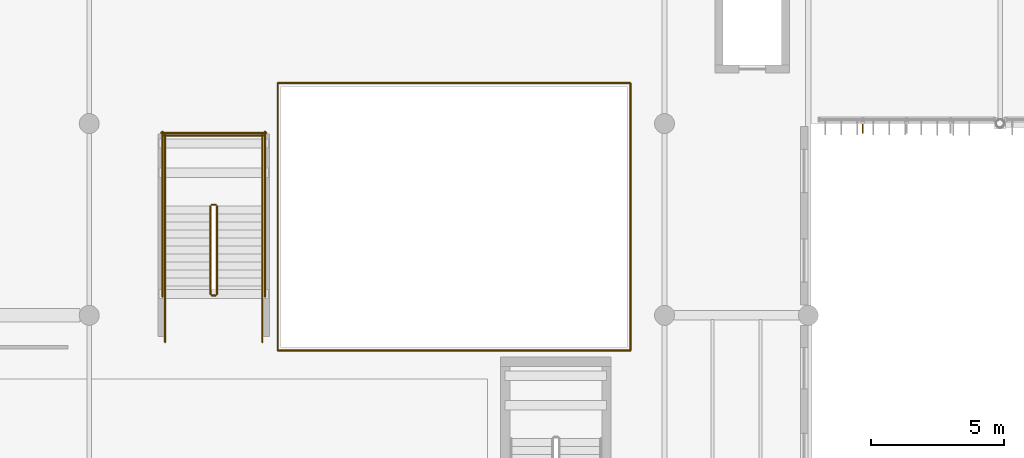
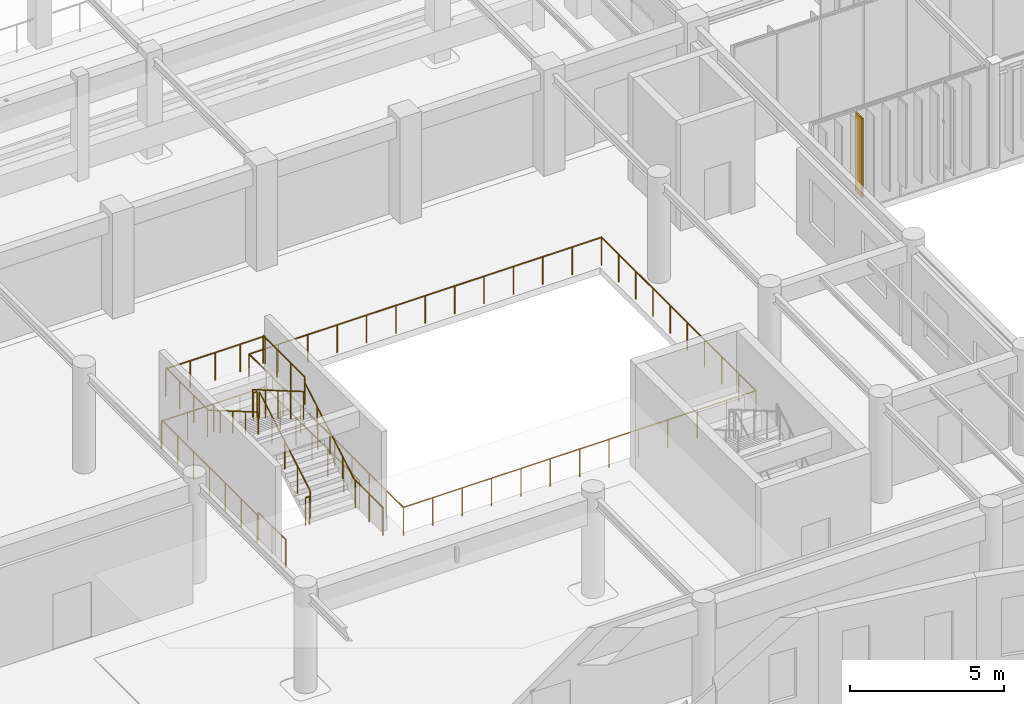
# One storey, part 111 of 122: 18 railings, 1 shading device.
"""IFC4 building model written with IfcOpenShell, lengths in metres."""

from ifc_helpers import new_model, si_unit, direction, frame, origin, origin_2d, place, context, subcontext, project, spatial, rectangle, circle, extrude, material, layer, layer_set, material_profile, profile_set, type_object, element, save


model = new_model("IFC4")

# Units and contexts
model_context = context("Model", 3, precision=1e-05, world=origin(), true_north=direction((0.0, 1.0)))
body_context = subcontext(model_context, "Body", "Model", "MODEL_VIEW")
ifc_project = project(units=[si_unit("LENGTHUNIT", "METRE"), si_unit("AREAUNIT", "SQUARE_METRE"), si_unit("VOLUMEUNIT", "CUBIC_METRE"), si_unit("PLANEANGLEUNIT", "RADIAN"), si_unit("MASSUNIT", "GRAM", prefix="KILO")], contexts=[model_context])

# Site, building, storey
site_placement = place(None, origin())
site = spatial("IfcSite", under=ifc_project, at=site_placement, CompositionType="ELEMENT")
building_placement = place(site_placement, origin())
building = spatial("IfcBuilding", under=site, at=building_placement, Name="Tazoul Stagehouse", CompositionType="ELEMENT")
storey_placement = place(building_placement, frame((0.0, 0.0, 4.800048828125)))
storey = spatial("IfcBuildingStorey", under=building, at=storey_placement, Name="L01", CompositionType="ELEMENT", Elevation=4.800048828125)

# Shading device
ifc_material_1 = material(Name="Anodised Bronze Aluminium 6063-T6", Category="aluminium")
ifc_layer = layer(ifc_material_1, 0.050048828125, Name="Anodised Bronze Aluminium 6063-T6")
ifc_layer_set = layer_set([ifc_layer], Name="Anodised Bronze Aluminium 6063-T6")
shading_device_type = type_object("IfcShadingDeviceType", Name="Angled Acoustic Sun-Screen Blade 460", PredefinedType="USERDEFINED", material=ifc_layer_set)
shading_device_placement = place(storey_placement, frame((97.447021484375, 44.469970703125, 0.75), z_axis=(0.0, 0.0, 1.0), x_axis=(1.0, 0.0, 0.0)))
element("IfcShadingDevice", 1, at=shading_device_placement, inside=storey, type_object=shading_device_type, Name="Shading Louvre FIN-02 CW-ELNK-S-L01-B1-SHD01", ObjectType="FIN", PredefinedType="USERDEFINED", context=body_context, shape_type="SweptSolid", body=[
    extrude(rectangle(XDim=0.044921875, YDim=0.4599609375, at=origin_2d()), origin(), (0.0, 0.0, 1.0), 3.14990234375),
])

# Railings
ifc_material_2 = material(Name="Brushed Stainless Steel 316L", Category="steel")
ifc_material_profile_1 = material_profile(ifc_material_2, circle(Radius=0.02392578125, at=origin_2d()), Name="SS RAIL D48")
ifc_profile_set_1 = profile_set([ifc_material_profile_1], Name="Brushed Stainless Steel 316L")
railing_type_1 = type_object("IfcRailingType", Name="Architectural Guardrail H1120", PredefinedType="GUARDRAIL", material=ifc_profile_set_1)
railing_1_placement = place(storey_placement, frame((73.199951171875, 38.199951171875, 0.175048828125)))
element("IfcRailing", 2, at=railing_1_placement, inside=storey, type_object=railing_type_1, Name="L01 ST-ATR-01 stair guard 1", PredefinedType="GUARDRAIL", context=body_context, shape_type="SweptSolid", body=[
    extrude(circle(Radius=0.02392578125, at=origin_2d()), frame((0.0, 0.0, 1.09619140625), z_axis=(0.0, 0.863804395585, 0.503827317807), x_axis=(-1.0, 0.0, 0.0)), (0.0, 0.0, 1.0), 3.8203125),
    extrude(circle(Radius=0.02099609375, at=origin_2d()), origin(), (0.0, 0.0, 1.0), 1.072021484375),
    extrude(circle(Radius=0.02099609375, at=origin_2d()), frame((0.0, 0.824951171875, 0.481201171875)), (0.0, 0.0, 1.0), 1.072021484375),
    extrude(circle(Radius=0.02099609375, at=origin_2d()), frame((0.0, 1.64990234375, 0.96240234375)), (0.0, 0.0, 1.0), 1.072021484375),
    extrude(circle(Radius=0.02099609375, at=origin_2d()), frame((0.0, 2.47509765625, 1.443603515625)), (0.0, 0.0, 1.0), 1.072021484375),
    extrude(circle(Radius=0.02099609375, at=origin_2d()), frame((0.0, 3.300048828125, 1.9248046875)), (0.0, 0.0, 1.0), 1.072021484375),
])
railing_2_placement = place(storey_placement, frame((73.14990234375, 41.550048828125, 2.099853515625)))
element("IfcRailing", 3, at=railing_2_placement, inside=storey, type_object=railing_type_1, Name="L01 ST-ATR-01 stair guard 2", PredefinedType="GUARDRAIL", context=body_context, shape_type="SweptSolid", body=[
    extrude(circle(Radius=0.02392578125, at=origin_2d()), frame((0.0, 0.0, 1.09619140625), z_axis=(-1.0, 0.0, 0.0), x_axis=(0.0, -1.0, 0.0)), (0.0, 0.0, 1.0), 0.14990234375),
    extrude(circle(Radius=0.02099609375, at=origin_2d()), origin(), (0.0, 0.0, 1.0), 1.072021484375),
    extrude(circle(Radius=0.02099609375, at=origin_2d()), frame((-0.14990234375, 0.0, 0.0)), (0.0, 0.0, 1.0), 1.072021484375),
])
for number, where, name in (
    (4, (74.89990234375, 41.5, 2.099853515625), "L01 ST-ATR-01 stair guard 3"),
    (5, (71.25, 41.5, 2.099853515625), "L01 ST-ATR-01 stair guard 4"),
):
    element("IfcRailing", number, at=place(storey_placement, frame(where)), inside=storey, type_object=railing_type_1, Name=name, PredefinedType="GUARDRAIL", context=body_context, shape_type="SweptSolid", body=[
        extrude(circle(Radius=0.02392578125, at=origin_2d()), frame((0.0, 0.0, 1.09619140625), z_axis=(0.0, 1.0, 0.0), x_axis=(-1.0, 0.0, 0.0)), (0.0, 0.0, 1.0), 2.699951171875),
        extrude(circle(Radius=0.02099609375, at=origin_2d()), origin(), (0.0, 0.0, 1.0), 1.072021484375),
        extrude(circle(Radius=0.02099609375, at=origin_2d()), frame((0.0, 0.89990234375, 0.0)), (0.0, 0.0, 1.0), 1.072021484375),
        extrude(circle(Radius=0.02099609375, at=origin_2d()), frame((0.0, 1.800048828125, 0.0)), (0.0, 0.0, 1.0), 1.072021484375),
        extrude(circle(Radius=0.02099609375, at=origin_2d()), frame((0.0, 2.699951171875, 0.0)), (0.0, 0.0, 1.0), 1.072021484375),
    ])
railing_3_placement = place(storey_placement, frame((74.949951171875, 44.14990234375, 2.099853515625)))
element("IfcRailing", 6, at=railing_3_placement, inside=storey, type_object=railing_type_1, Name="L01 ST-ATR-01 stair guard 5", PredefinedType="GUARDRAIL", context=body_context, shape_type="SweptSolid", body=[
    extrude(circle(Radius=0.02392578125, at=origin_2d()), frame((0.0, 0.0, 1.09619140625), z_axis=(-1.0, 0.0, 0.0), x_axis=(0.0, -1.0, 0.0)), (0.0, 0.0, 1.0), 3.75),
    extrude(circle(Radius=0.02099609375, at=origin_2d()), origin(), (0.0, 0.0, 1.0), 1.072021484375),
    extrude(circle(Radius=0.02099609375, at=origin_2d()), frame((-0.9375, 0.0, 0.0)), (0.0, 0.0, 1.0), 1.072021484375),
    extrude(circle(Radius=0.02099609375, at=origin_2d()), frame((-1.875, 0.0, 0.0)), (0.0, 0.0, 1.0), 1.072021484375),
    extrude(circle(Radius=0.02099609375, at=origin_2d()), frame((-2.8125, 0.0, 0.0)), (0.0, 0.0, 1.0), 1.072021484375),
    extrude(circle(Radius=0.02099609375, at=origin_2d()), frame((-3.75, 0.0, 0.0)), (0.0, 0.0, 1.0), 1.072021484375),
])
railing_4_placement = place(storey_placement, frame((72.949951171875, 41.5, 2.27490234375)))
element("IfcRailing", 7, at=railing_4_placement, inside=storey, type_object=railing_type_1, Name="L01 ST-ATR-01 stair guard 6", PredefinedType="GUARDRAIL", context=body_context, shape_type="SweptSolid", body=[
    extrude(circle(Radius=0.02392578125, at=origin_2d()), frame((0.0, 0.0, 1.09619140625), z_axis=(0.0, -0.863776583165, 0.503874998761), x_axis=(1.0, 0.0, 0.0)), (0.0, 0.0, 1.0), 3.820556640625),
    extrude(circle(Radius=0.02099609375, at=origin_2d()), origin(), (0.0, 0.0, 1.0), 1.072021484375),
    extrude(circle(Radius=0.02099609375, at=origin_2d()), frame((0.0, -0.824951171875, 0.481201171875)), (0.0, 0.0, 1.0), 1.072021484375),
    extrude(circle(Radius=0.02099609375, at=origin_2d()), frame((0.0, -1.64990234375, 0.96240234375)), (0.0, 0.0, 1.0), 1.072021484375),
    extrude(circle(Radius=0.02099609375, at=origin_2d()), frame((0.0, -2.47509765625, 1.44384765625)), (0.0, 0.0, 1.0), 1.072021484375),
    extrude(circle(Radius=0.02099609375, at=origin_2d()), frame((0.0, -3.300048828125, 1.925048828125)), (0.0, 0.0, 1.0), 1.072021484375),
])
railing_5_placement = place(storey_placement, frame((73.14990234375, 38.14990234375, 0.0)))
element("IfcRailing", 8, at=railing_5_placement, inside=storey, type_object=railing_type_1, Name="L01 ST-ATR-01 stair guard 7", PredefinedType="GUARDRAIL", context=body_context, shape_type="SweptSolid", body=[
    extrude(circle(Radius=0.02392578125, at=origin_2d()), frame((0.0, 0.0, 1.09619140625), z_axis=(-1.0, 0.0, 0.0), x_axis=(0.0, -1.0, 0.0)), (0.0, 0.0, 1.0), 0.14990234375),
    extrude(circle(Radius=0.02099609375, at=origin_2d()), origin(), (0.0, 0.0, 1.0), 1.072021484375),
    extrude(circle(Radius=0.02099609375, at=origin_2d()), frame((-0.14990234375, 0.0, 0.0)), (0.0, 0.0, 1.0), 1.072021484375),
])
for number, where, name in (
    (9, (74.89990234375, 36.39990234375, 0.0), "L01 ST-ATR-01 stair guard 8"),
    (10, (71.25, 36.39990234375, 0.0), "L01 ST-ATR-01 stair guard 9"),
):
    element("IfcRailing", number, at=place(storey_placement, frame(where)), inside=storey, type_object=railing_type_1, Name=name, PredefinedType="GUARDRAIL", context=body_context, shape_type="SweptSolid", body=[
        extrude(circle(Radius=0.02392578125, at=origin_2d()), frame((0.0, 0.0, 1.09619140625), z_axis=(0.0, 1.0, 0.0), x_axis=(-1.0, 0.0, 0.0)), (0.0, 0.0, 1.0), 1.800048828125),
        extrude(circle(Radius=0.02099609375, at=origin_2d()), origin(), (0.0, 0.0, 1.0), 1.072021484375),
        extrude(circle(Radius=0.02099609375, at=origin_2d()), frame((0.0, 0.89990234375, 0.0)), (0.0, 0.0, 1.0), 1.072021484375),
        extrude(circle(Radius=0.02099609375, at=origin_2d()), frame((0.0, 1.800048828125, 0.0)), (0.0, 0.0, 1.0), 1.072021484375),
    ])
for number, where, name in (
    (11, (75.0, 38.10009765625, 0.0), "L01 ST-ATR-01 stair guard 10"),
    (12, (71.14990234375, 38.10009765625, 0.0), "L01 ST-ATR-01 stair guard 11"),
):
    element("IfcRailing", number, at=place(storey_placement, frame(where)), inside=storey, type_object=railing_type_1, Name=name, PredefinedType="GUARDRAIL", context=body_context, shape_type="SweptSolid", body=[
        extrude(circle(Radius=0.02392578125, at=origin_2d()), frame((0.0, 0.0, 1.09619140625), z_axis=(0.0, 1.0, 0.0), x_axis=(-1.0, 0.0, 0.0)), (0.0, 0.0, 1.0), 6.199951171875),
        extrude(circle(Radius=0.02099609375, at=origin_2d()), origin(), (0.0, 0.0, 1.0), 1.072021484375),
        extrude(circle(Radius=0.02099609375, at=origin_2d()), frame((0.0, 1.033203125, 0.0)), (0.0, 0.0, 1.0), 1.072021484375),
        extrude(circle(Radius=0.02099609375, at=origin_2d()), frame((0.0, 2.066650390625, 0.0)), (0.0, 0.0, 1.0), 1.072021484375),
        extrude(circle(Radius=0.02099609375, at=origin_2d()), frame((0.0, 3.10009765625, 0.0)), (0.0, 0.0, 1.0), 1.072021484375),
        extrude(circle(Radius=0.02099609375, at=origin_2d()), frame((0.0, 4.13330078125, 0.0)), (0.0, 0.0, 1.0), 1.072021484375),
        extrude(circle(Radius=0.02099609375, at=origin_2d()), frame((0.0, 5.16650390625, 0.0)), (0.0, 0.0, 1.0), 1.072021484375),
        extrude(circle(Radius=0.02099609375, at=origin_2d()), frame((0.0, 6.199951171875, 0.0)), (0.0, 0.0, 1.0), 1.072021484375),
    ])
railing_6_placement = place(storey_placement, frame((75.050048828125, 44.25, 0.0)))
element("IfcRailing", 13, at=railing_6_placement, inside=storey, type_object=railing_type_1, Name="L01 ST-ATR-01 stair guard 12", PredefinedType="GUARDRAIL", context=body_context, shape_type="SweptSolid", body=[
    extrude(circle(Radius=0.02392578125, at=origin_2d()), frame((0.0, 0.0, 1.09619140625), z_axis=(-1.0, 0.0, 0.0), x_axis=(0.0, -1.0, 0.0)), (0.0, 0.0, 1.0), 3.949951171875),
    extrude(circle(Radius=0.02099609375, at=origin_2d()), origin(), (0.0, 0.0, 1.0), 1.072021484375),
    extrude(circle(Radius=0.02099609375, at=origin_2d()), frame((-0.987548828125, 0.0, 0.0)), (0.0, 0.0, 1.0), 1.072021484375),
    extrude(circle(Radius=0.02099609375, at=origin_2d()), frame((-1.97509765625, 0.0, 0.0)), (0.0, 0.0, 1.0), 1.072021484375),
    extrude(circle(Radius=0.02099609375, at=origin_2d()), frame((-2.96240234375, 0.0, 0.0)), (0.0, 0.0, 1.0), 1.072021484375),
    extrude(circle(Radius=0.02099609375, at=origin_2d()), frame((-3.949951171875, 0.0, 0.0)), (0.0, 0.0, 1.0), 1.072021484375),
])
railing_7_placement = place(storey_placement, frame((75.47998046875, 36.080078125, 0.0)))
element("IfcRailing", 14, at=railing_7_placement, inside=storey, type_object=railing_type_1, Name="L01 Open-Edge Guard GRD-01 (GRD-VOID5-S1)", PredefinedType="GUARDRAIL", context=body_context, shape_type="SweptSolid", body=[
    extrude(circle(Radius=0.02392578125, at=origin_2d()), frame((0.0, 0.0, 1.09619140625), z_axis=(1.0, 0.0, 0.0), x_axis=(0.0, 1.0, 0.0)), (0.0, 0.0, 1.0), 13.239990234375),
    extrude(circle(Radius=0.02099609375, at=origin_2d()), origin(), (0.0, 0.0, 1.0), 1.072021484375),
    extrude(circle(Radius=0.02099609375, at=origin_2d()), frame((1.103271484375, 0.0, 0.0)), (0.0, 0.0, 1.0), 1.072021484375),
    extrude(circle(Radius=0.02099609375, at=origin_2d()), frame((2.20654296875, 0.0, 0.0)), (0.0, 0.0, 1.0), 1.072021484375),
    extrude(circle(Radius=0.02099609375, at=origin_2d()), frame((3.31005859375, 0.0, 0.0)), (0.0, 0.0, 1.0), 1.072021484375),
    extrude(circle(Radius=0.02099609375, at=origin_2d()), frame((4.413330078125, 0.0, 0.0)), (0.0, 0.0, 1.0), 1.072021484375),
    extrude(circle(Radius=0.02099609375, at=origin_2d()), frame((5.5166015625, 0.0, 0.0)), (0.0, 0.0, 1.0), 1.072021484375),
    extrude(circle(Radius=0.02099609375, at=origin_2d()), frame((6.6201171875, 0.0, 0.0)), (0.0, 0.0, 1.0), 1.072021484375),
    extrude(circle(Radius=0.02099609375, at=origin_2d()), frame((7.723388671875, 0.0, 0.0)), (0.0, 0.0, 1.0), 1.072021484375),
    extrude(circle(Radius=0.02099609375, at=origin_2d()), frame((8.82666015625, 0.0, 0.0)), (0.0, 0.0, 1.0), 1.072021484375),
    extrude(circle(Radius=0.02099609375, at=origin_2d()), frame((9.929931640625, 0.0, 0.0)), (0.0, 0.0, 1.0), 1.072021484375),
    extrude(circle(Radius=0.02099609375, at=origin_2d()), frame((11.033203125, 0.0, 0.0)), (0.0, 0.0, 1.0), 1.072021484375),
    extrude(circle(Radius=0.02099609375, at=origin_2d()), frame((12.13671875, 0.0, 0.0)), (0.0, 0.0, 1.0), 1.072021484375),
    extrude(circle(Radius=0.02099609375, at=origin_2d()), frame((13.239990234375, 0.0, 0.0)), (0.0, 0.0, 1.0), 1.072021484375),
])
railing_8_placement = place(storey_placement, frame((88.719970703125, 36.080078125, 0.0)))
element("IfcRailing", 15, at=railing_8_placement, inside=storey, type_object=railing_type_1, Name="L01 Open-Edge Guard GRD-01 (GRD-VOID5-E1)", PredefinedType="GUARDRAIL", context=body_context, shape_type="SweptSolid", body=[
    extrude(circle(Radius=0.02392578125, at=origin_2d()), frame((0.0, 0.0, 1.09619140625), z_axis=(0.0, 1.0, 0.0), x_axis=(-1.0, 0.0, 0.0)), (0.0, 0.0, 1.0), 10.0400390625),
    extrude(circle(Radius=0.02099609375, at=origin_2d()), origin(), (0.0, 0.0, 1.0), 1.072021484375),
    extrude(circle(Radius=0.02099609375, at=origin_2d()), frame((0.0, 1.115478515625, 0.0)), (0.0, 0.0, 1.0), 1.072021484375),
    extrude(circle(Radius=0.02099609375, at=origin_2d()), frame((0.0, 2.231201171875, 0.0)), (0.0, 0.0, 1.0), 1.072021484375),
    extrude(circle(Radius=0.02099609375, at=origin_2d()), frame((0.0, 3.3466796875, 0.0)), (0.0, 0.0, 1.0), 1.072021484375),
    extrude(circle(Radius=0.02099609375, at=origin_2d()), frame((0.0, 4.462158203125, 0.0)), (0.0, 0.0, 1.0), 1.072021484375),
    extrude(circle(Radius=0.02099609375, at=origin_2d()), frame((0.0, 5.577880859375, 0.0)), (0.0, 0.0, 1.0), 1.072021484375),
    extrude(circle(Radius=0.02099609375, at=origin_2d()), frame((0.0, 6.693359375, 0.0)), (0.0, 0.0, 1.0), 1.072021484375),
    extrude(circle(Radius=0.02099609375, at=origin_2d()), frame((0.0, 7.808837890625, 0.0)), (0.0, 0.0, 1.0), 1.072021484375),
    extrude(circle(Radius=0.02099609375, at=origin_2d()), frame((0.0, 8.924560546875, 0.0)), (0.0, 0.0, 1.0), 1.072021484375),
    extrude(circle(Radius=0.02099609375, at=origin_2d()), frame((0.0, 10.0400390625, 0.0)), (0.0, 0.0, 1.0), 1.072021484375),
])
railing_9_placement = place(storey_placement, frame((88.719970703125, 46.1201171875, 0.0)))
element("IfcRailing", 16, at=railing_9_placement, inside=storey, type_object=railing_type_1, Name="L01 Open-Edge Guard GRD-01 (GRD-VOID5-N1)", PredefinedType="GUARDRAIL", context=body_context, shape_type="SweptSolid", body=[
    extrude(circle(Radius=0.02392578125, at=origin_2d()), frame((0.0, 0.0, 1.09619140625), z_axis=(-1.0, 0.0, 0.0), x_axis=(0.0, -1.0, 0.0)), (0.0, 0.0, 1.0), 13.239990234375),
    extrude(circle(Radius=0.02099609375, at=origin_2d()), origin(), (0.0, 0.0, 1.0), 1.072021484375),
    extrude(circle(Radius=0.02099609375, at=origin_2d()), frame((-1.103271484375, 0.0, 0.0)), (0.0, 0.0, 1.0), 1.072021484375),
    extrude(circle(Radius=0.02099609375, at=origin_2d()), frame((-2.20654296875, 0.0, 0.0)), (0.0, 0.0, 1.0), 1.072021484375),
    extrude(circle(Radius=0.02099609375, at=origin_2d()), frame((-3.31005859375, 0.0, 0.0)), (0.0, 0.0, 1.0), 1.072021484375),
    extrude(circle(Radius=0.02099609375, at=origin_2d()), frame((-4.413330078125, 0.0, 0.0)), (0.0, 0.0, 1.0), 1.072021484375),
    extrude(circle(Radius=0.02099609375, at=origin_2d()), frame((-5.5166015625, 0.0, 0.0)), (0.0, 0.0, 1.0), 1.072021484375),
    extrude(circle(Radius=0.02099609375, at=origin_2d()), frame((-6.6201171875, 0.0, 0.0)), (0.0, 0.0, 1.0), 1.072021484375),
    extrude(circle(Radius=0.02099609375, at=origin_2d()), frame((-7.723388671875, 0.0, 0.0)), (0.0, 0.0, 1.0), 1.072021484375),
    extrude(circle(Radius=0.02099609375, at=origin_2d()), frame((-8.82666015625, 0.0, 0.0)), (0.0, 0.0, 1.0), 1.072021484375),
    extrude(circle(Radius=0.02099609375, at=origin_2d()), frame((-9.929931640625, 0.0, 0.0)), (0.0, 0.0, 1.0), 1.072021484375),
    extrude(circle(Radius=0.02099609375, at=origin_2d()), frame((-11.033203125, 0.0, 0.0)), (0.0, 0.0, 1.0), 1.072021484375),
    extrude(circle(Radius=0.02099609375, at=origin_2d()), frame((-12.13671875, 0.0, 0.0)), (0.0, 0.0, 1.0), 1.072021484375),
    extrude(circle(Radius=0.02099609375, at=origin_2d()), frame((-13.239990234375, 0.0, 0.0)), (0.0, 0.0, 1.0), 1.072021484375),
])
railing_10_placement = place(storey_placement, frame((75.47998046875, 46.1201171875, 0.0)))
element("IfcRailing", 17, at=railing_10_placement, inside=storey, type_object=railing_type_1, Name="L01 Open-Edge Guard GRD-01 (GRD-VOID5-W1)", PredefinedType="GUARDRAIL", context=body_context, shape_type="SweptSolid", body=[
    extrude(circle(Radius=0.02392578125, at=origin_2d()), frame((0.0, 0.0, 1.09619140625), z_axis=(0.0, -1.0, 0.0), x_axis=(1.0, 0.0, 0.0)), (0.0, 0.0, 1.0), 10.0400390625),
    extrude(circle(Radius=0.02099609375, at=origin_2d()), origin(), (0.0, 0.0, 1.0), 1.072021484375),
    extrude(circle(Radius=0.02099609375, at=origin_2d()), frame((0.0, -1.115478515625, 0.0)), (0.0, 0.0, 1.0), 1.072021484375),
    extrude(circle(Radius=0.02099609375, at=origin_2d()), frame((0.0, -2.231201171875, 0.0)), (0.0, 0.0, 1.0), 1.072021484375),
    extrude(circle(Radius=0.02099609375, at=origin_2d()), frame((0.0, -3.3466796875, 0.0)), (0.0, 0.0, 1.0), 1.072021484375),
    extrude(circle(Radius=0.02099609375, at=origin_2d()), frame((0.0, -4.462158203125, 0.0)), (0.0, 0.0, 1.0), 1.072021484375),
    extrude(circle(Radius=0.02099609375, at=origin_2d()), frame((0.0, -5.577880859375, 0.0)), (0.0, 0.0, 1.0), 1.072021484375),
    extrude(circle(Radius=0.02099609375, at=origin_2d()), frame((0.0, -6.693359375, 0.0)), (0.0, 0.0, 1.0), 1.072021484375),
    extrude(circle(Radius=0.02099609375, at=origin_2d()), frame((0.0, -7.808837890625, 0.0)), (0.0, 0.0, 1.0), 1.072021484375),
    extrude(circle(Radius=0.02099609375, at=origin_2d()), frame((0.0, -8.924560546875, 0.0)), (0.0, 0.0, 1.0), 1.072021484375),
    extrude(circle(Radius=0.02099609375, at=origin_2d()), frame((0.0, -10.0400390625, 0.0)), (0.0, 0.0, 1.0), 1.072021484375),
])
ifc_material_profile_2 = material_profile(ifc_material_2, circle(Radius=0.02099609375, at=origin_2d()), Name="SS HANDRAIL D42")
ifc_profile_set_2 = profile_set([ifc_material_profile_2], Name="Brushed Stainless Steel 316L")
railing_type_2 = type_object("IfcRailingType", Name="Continuous Stair Handrail H900", PredefinedType="HANDRAIL", material=ifc_profile_set_2)
railing_11_placement = place(storey_placement, frame((74.89990234375, 38.199951171875, 0.175048828125)))
element("IfcRailing", 18, at=railing_11_placement, inside=storey, type_object=railing_type_2, Name="L01 ST-ATR-01 stair handrail 1", PredefinedType="HANDRAIL", context=body_context, shape_type="SweptSolid", body=[
    extrude(circle(Radius=0.02392578125, at=origin_2d()), frame((0.0, 0.0, 0.8759765625), z_axis=(0.0, 0.863804395585, 0.503827317807), x_axis=(-1.0, 0.0, 0.0)), (0.0, 0.0, 1.0), 3.8203125),
    extrude(circle(Radius=0.02099609375, at=origin_2d()), origin(), (0.0, 0.0, 1.0), 0.851806640625),
    extrude(circle(Radius=0.02099609375, at=origin_2d()), frame((0.0, 0.824951171875, 0.481201171875)), (0.0, 0.0, 1.0), 0.851806640625),
    extrude(circle(Radius=0.02099609375, at=origin_2d()), frame((0.0, 1.64990234375, 0.96240234375)), (0.0, 0.0, 1.0), 0.851806640625),
    extrude(circle(Radius=0.02099609375, at=origin_2d()), frame((0.0, 2.47509765625, 1.443603515625)), (0.0, 0.0, 1.0), 0.851806640625),
    extrude(circle(Radius=0.02099609375, at=origin_2d()), frame((0.0, 3.300048828125, 1.9248046875)), (0.0, 0.0, 1.0), 0.851806640625),
])
railing_12_placement = place(storey_placement, frame((71.25, 41.5, 2.27490234375)))
element("IfcRailing", 19, at=railing_12_placement, inside=storey, type_object=railing_type_2, Name="L01 ST-ATR-01 stair handrail 2", PredefinedType="HANDRAIL", context=body_context, shape_type="SweptSolid", body=[
    extrude(circle(Radius=0.02392578125, at=origin_2d()), frame((0.0, 0.0, 0.8759765625), z_axis=(0.0, -0.863776583165, 0.503874998761), x_axis=(1.0, 0.0, 0.0)), (0.0, 0.0, 1.0), 3.820556640625),
    extrude(circle(Radius=0.02099609375, at=origin_2d()), origin(), (0.0, 0.0, 1.0), 0.851806640625),
    extrude(circle(Radius=0.02099609375, at=origin_2d()), frame((0.0, -0.824951171875, 0.481201171875)), (0.0, 0.0, 1.0), 0.851806640625),
    extrude(circle(Radius=0.02099609375, at=origin_2d()), frame((0.0, -1.64990234375, 0.96240234375)), (0.0, 0.0, 1.0), 0.851806640625),
    extrude(circle(Radius=0.02099609375, at=origin_2d()), frame((0.0, -2.47509765625, 1.44384765625)), (0.0, 0.0, 1.0), 0.851806640625),
    extrude(circle(Radius=0.02099609375, at=origin_2d()), frame((0.0, -3.300048828125, 1.925048828125)), (0.0, 0.0, 1.0), 0.851806640625),
])

save(model, "model.ifc")
